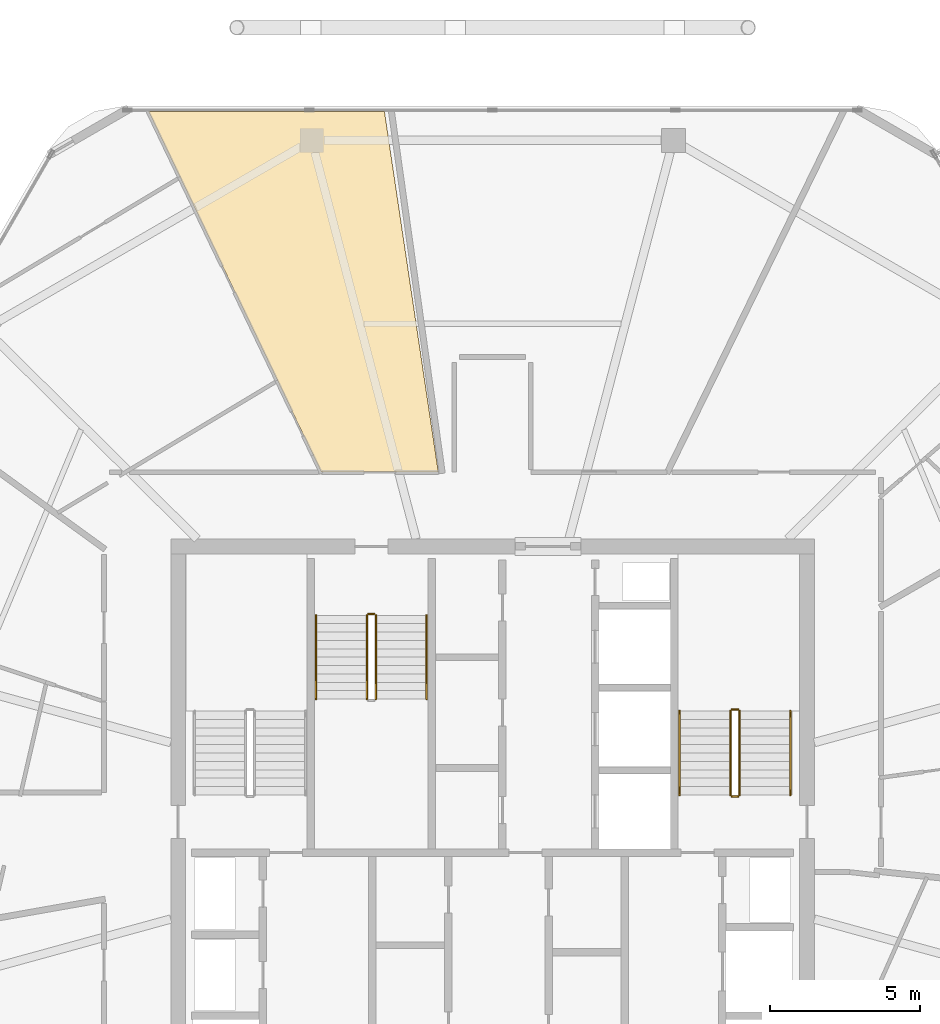
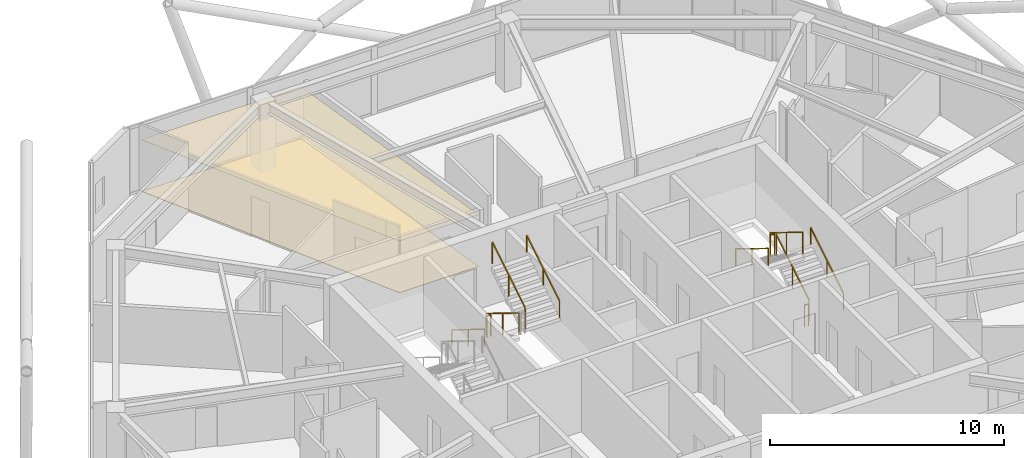
# One storey, part 23 of 24: 11 railings, 2 coverings.
"""IFC4 building model written with IfcOpenShell, lengths in metres."""

import ifcopenshell
import ifcopenshell.guid

model = None  # the IFC model being written
_history = None  # IfcOwnerHistory: only IFC2X3 demands one
_inside = {}  # id of a spatial element -> (the spatial element, [elements in it])
_under = {}  # id of a project, library or spatial element -> (it, [spatial elements below it])
_declared = {}  # id of a project -> (the project, [libraries it declares])
_typed = {}  # id of a type object -> (the type object, [elements of that type])
_made_of = {}  # id of a material, layer set ... -> (it, [elements and type objects made of it])


def new_model(schema):
    """Start an empty IFC model of exactly this schema.

    Asked for "IFC4X3", IfcOpenShell would pick the latest addendum, in which some entities
    have other attributes; the version numbers below select the first issue.
    IFC2X3 requires an IfcOwnerHistory on every rooted entity: one is made here for all.
    """
    global model, _history
    if schema == "IFC4X3":
        model = ifcopenshell.file(schema_version=(4, 3, 0, 0))
    else:
        model = ifcopenshell.file(schema=schema)
    _inside.clear()
    _under.clear()
    _declared.clear()
    _typed.clear()
    _made_of.clear()
    _history = None
    if model.schema == "IFC2X3":
        org = make("IfcOrganization", Name="unknown")
        user = make(
            "IfcPersonAndOrganization",
            ThePerson=make("IfcPerson", FamilyName="unknown"),
            TheOrganization=org,
        )
        app = make(
            "IfcApplication",
            ApplicationDeveloper=org,
            Version="unknown",
            ApplicationFullName="unknown",
            ApplicationIdentifier="unknown",
        )
        _history = make(
            "IfcOwnerHistory",
            OwningUser=user,
            OwningApplication=app,
            ChangeAction="ADDED",
            CreationDate=0,
        )
    return model


def make(cls, **values):
    """One entity of the class cls with the attributes given. An attribute that is None is left unset."""
    return model.create_entity(
        cls, **{name: value for name, value in values.items() if value is not None}
    )


def rooted(cls, **values):
    """An entity with a GlobalId (a new one), such as an element, a storey or a relation."""
    return make(cls, GlobalId=ifcopenshell.guid.new(), OwnerHistory=_history, **values)


def si_unit(unit_type, name, prefix=None):
    """IfcSIUnit, for example si_unit("LENGTHUNIT", "METRE", prefix="MILLI")."""
    return make("IfcSIUnit", UnitType=unit_type, Prefix=prefix, Name=name)


def assignment(units):
    """IfcUnitAssignment: the units of a project."""
    return None if units is None else make("IfcUnitAssignment", Units=units)


def point(xyz):
    """IfcCartesianPoint."""
    return None if xyz is None else make("IfcCartesianPoint", Coordinates=xyz)


def direction(xyz):
    """IfcDirection."""
    return None if xyz is None else make("IfcDirection", DirectionRatios=xyz)


def frame(location, z_axis=None, x_axis=None):
    """IfcAxis2Placement3D, a coordinate frame: its origin and axes. An axis left out is left unset."""
    return make(
        "IfcAxis2Placement3D",
        Location=point(location),
        Axis=direction(z_axis),
        RefDirection=direction(x_axis),
    )


def frame_2d(location, x_axis=None):
    """IfcAxis2Placement2D, a coordinate frame in the plane: its origin and x axis."""
    return make(
        "IfcAxis2Placement2D", Location=point(location), RefDirection=direction(x_axis)
    )


def origin():
    """The frame at (0, 0, 0) with its axes left unset."""
    return frame((0.0, 0.0, 0.0))


def origin_2d():
    """The frame at (0, 0) in the plane with its x axis left unset."""
    return frame_2d((0.0, 0.0))


def place(relative_to, where):
    """IfcLocalPlacement: puts the frame where relative to a parent placement (None: the world)."""
    return make(
        "IfcLocalPlacement", PlacementRelTo=relative_to, RelativePlacement=where
    )


def context(
    kind, dimensions, precision=None, world=None, true_north=None, identifier=None
):
    """IfcGeometricRepresentationContext, for example the 3D "Model" context."""
    return make(
        "IfcGeometricRepresentationContext",
        ContextIdentifier=identifier,
        ContextType=kind,
        CoordinateSpaceDimension=dimensions,
        Precision=precision,
        WorldCoordinateSystem=world,
        TrueNorth=true_north,
    )


def subcontext(parent, identifier, kind, view, scale=None):
    """IfcGeometricRepresentationSubContext, for example "Body" below "Model"."""
    return make(
        "IfcGeometricRepresentationSubContext",
        ContextIdentifier=identifier,
        ContextType=kind,
        ParentContext=parent,
        TargetScale=scale,
        TargetView=view,
    )


def project(units=None, contexts=None):
    """IfcProject with its units and contexts."""
    return rooted(
        "IfcProject",
        Name="project",
        RepresentationContexts=contexts,
        UnitsInContext=assignment(units),
    )


def spatial(cls, under=None, at=None, **own):
    """A site, building, storey or space (cls), placed at a placement, below another one or the project."""
    s = rooted(cls, ObjectPlacement=at, **own)
    if under is not None:
        _under.setdefault(under.id(), (under, []))[1].append(s)
    return s


def polyline(points):
    """IfcPolyline through the points."""
    return make("IfcPolyline", Points=[point(p) for p in points])


def profile(cls, at=None, kind="AREA", **sizes):
    """A parametric profile (cls). Its sizes go by their IFC names, for example OverallWidth=200.0."""
    return make(cls, ProfileType=kind, Position=at, **sizes)


def rectangle(**sizes):
    """IfcRectangleProfileDef."""
    return profile("IfcRectangleProfileDef", **sizes)


def outline(outer, holes=None, kind="AREA"):
    """IfcArbitraryClosedProfileDef: a profile drawn as a closed curve; with holes, ...WithVoids."""
    if holes is None:
        return make("IfcArbitraryClosedProfileDef", ProfileType=kind, OuterCurve=outer)
    return make(
        "IfcArbitraryProfileDefWithVoids",
        ProfileType=kind,
        OuterCurve=outer,
        InnerCurves=holes,
    )


def extrude(swept, where, along, depth):
    """IfcExtrudedAreaSolid: the profile swept, set in the frame where, extruded along a direction by depth."""
    return make(
        "IfcExtrudedAreaSolid",
        SweptArea=swept,
        Position=where,
        ExtrudedDirection=direction(along),
        Depth=depth,
    )


def shape(context_of_items, identifier, shape_type, items):
    """IfcShapeRepresentation: the items that make up one representation, for example the "Body"."""
    return make(
        "IfcShapeRepresentation",
        ContextOfItems=context_of_items,
        RepresentationIdentifier=identifier,
        RepresentationType=shape_type,
        Items=items,
    )


def material(Name=None, Category=None):
    """IfcMaterial."""
    return make("IfcMaterial", Name=Name, Category=Category)


def layer(
    of_material, thickness, ventilated=None, Name=None, Category=None, Priority=None
):
    """IfcMaterialLayer: one layer of a wall or slab, of a material (None: an air gap)."""
    return make(
        "IfcMaterialLayer",
        Material=of_material,
        LayerThickness=thickness,
        IsVentilated=ventilated,
        Name=Name,
        Category=Category,
        Priority=Priority,
    )


def layer_set(layers, Name=None):
    """IfcMaterialLayerSet."""
    return make("IfcMaterialLayerSet", MaterialLayers=layers, LayerSetName=Name)


def made_of(thing, what):
    """Note that an element or type object is made of a material, layer set ...; save() writes the relation."""
    if what is not None:
        _made_of.setdefault(what.id(), (what, []))[1].append(thing)
    return thing


def type_object(cls, material=None, **own):
    """A type object (cls), such as IfcWallType, which elements share."""
    return made_of(rooted(cls, **own), material)


def element(
    cls,
    number,
    at=None,
    inside=None,
    cuts=None,
    type_object=None,
    material=None,
    context=None,
    identifier="Body",
    shape_type=None,
    held_by="IfcProductDefinitionShape",
    body=None,
    shapes=None,
    **own,
):
    """One element of the class cls, such as IfcWall. Its Tag is "e" and its number.

    at: its placement. inside: the storey or other place that contains it. cuts: it is an
    opening in that element (IfcRelVoidsElement). A single representation is given by context,
    identifier, shape_type and body (its items); several are given by shapes. held_by: the class
    of the entity that holds the representations. save() writes the other relations.
    """
    e = rooted(cls, Tag="e%d" % number, ObjectPlacement=at, **own)
    if body is not None:
        shapes = [shape(context, identifier, shape_type, body)]
    if shapes is not None:
        e.Representation = make(held_by, Representations=shapes)
    if inside is not None:
        _inside.setdefault(inside.id(), (inside, []))[1].append(e)
    if cuts is not None:
        rooted(
            "IfcRelVoidsElement", RelatingBuildingElement=cuts, RelatedOpeningElement=e
        )
    if type_object is not None:
        _typed.setdefault(type_object.id(), (type_object, []))[1].append(e)
    return made_of(e, material)


def aggregate(whole, parts):
    """IfcRelAggregates: a whole, such as a stair, and the parts it consists of."""
    return rooted("IfcRelAggregates", RelatingObject=whole, RelatedObjects=parts)


def save(model, path):
    """Write the relations noted so far, then the file.

    IfcRelAggregates (storeys below a building ...), IfcRelContainedInSpatialStructure (elements
    in a storey), IfcRelDefinesByType, IfcRelAssociatesMaterial and IfcRelDeclares: one each for
    every whole, place, type object, material and project.
    """
    for whole, parts in _under.values():
        aggregate(whole, parts)
    for where, things in _inside.values():
        rooted(
            "IfcRelContainedInSpatialStructure",
            RelatedElements=things,
            RelatingStructure=where,
        )
    for kind, things in _typed.values():
        rooted("IfcRelDefinesByType", RelatedObjects=things, RelatingType=kind)
    for what, things in _made_of.values():
        rooted("IfcRelAssociatesMaterial", RelatedObjects=things, RelatingMaterial=what)
    for by, libraries in _declared.values():
        rooted("IfcRelDeclares", RelatingContext=by, RelatedDefinitions=libraries)
    model.write(path)


model = new_model("IFC4")

# Units and contexts
model_context = context("Model", 3, precision=1e-05, world=origin(), true_north=direction((0.0, 1.0)))
body_context = subcontext(model_context, "Body", "Model", "MODEL_VIEW")
ifc_project = project(units=[si_unit("LENGTHUNIT", "METRE"), si_unit("AREAUNIT", "SQUARE_METRE"), si_unit("VOLUMEUNIT", "CUBIC_METRE"), si_unit("PLANEANGLEUNIT", "RADIAN"), si_unit("MASSUNIT", "GRAM", prefix="KILO")], contexts=[model_context])

# Site, building, storey
site_placement = place(None, origin())
site = spatial("IfcSite", under=ifc_project, at=site_placement, CompositionType="ELEMENT")
building_placement = place(site_placement, origin())
building = spatial("IfcBuilding", under=site, at=building_placement, Name="Zuhravey Tower", CompositionType="ELEMENT")
storey_placement = place(building_placement, frame((0.0, 0.0, 308.199951171875)))
storey = spatial("IfcBuildingStorey", under=building, at=storey_placement, Name="L78", CompositionType="ELEMENT", Elevation=308.199951171875)

# Coverings
ifc_material_1 = material(Name="Mineral-fibre acoustic ceiling tile")
ifc_layer_1 = layer(ifc_material_1, 0.02490234375)
ifc_layer_set_1 = layer_set([ifc_layer_1], Name="Mineral-fibre acoustic ceiling tile")
covering_type_1 = type_object("IfcCoveringType", Name="Acoustic Suspended Ceiling", PredefinedType="CEILING", material=ifc_layer_set_1)
covering_1_placement = place(storey_placement, frame((0.0, 0.0, 2.68994140625)))
element("IfcCovering", 1, at=covering_1_placement, inside=storey, type_object=covering_type_1, Name="L78 Acoustic Suspended Ceiling CLG1", PredefinedType="CEILING", context=body_context, shape_type="SweptSolid", body=[
    extrude(outline(polyline([(34.189453125, 43.97998046875), (30.2822265625, 43.97998046875), (24.507080078125, 56.0341796875), (32.387939453125, 56.0341796875), (34.189453125, 43.97998046875)])), origin(), (0.0, 0.0, 1.0), 0.025146484375),
])
ifc_material_2 = material(Name="Porcelain tile finish")
ifc_layer_2 = layer(ifc_material_2, 0.02001953125)
ifc_layer_set_2 = layer_set([ifc_layer_2], Name="Porcelain tile finish")
covering_type_2 = type_object("IfcCoveringType", Name="Apartment Ondol Porcelain Flooring", PredefinedType="FLOORING", material=ifc_layer_set_2)
covering_2_placement = place(storey_placement, origin())
element("IfcCovering", 2, at=covering_2_placement, inside=storey, type_object=covering_type_2, Name="L78 Principal Room Acoustic Flooring", PredefinedType="FLOORING", context=body_context, shape_type="SweptSolid", body=[
    extrude(outline(polyline([(34.189453125, 43.97998046875), (30.2822265625, 43.97998046875), (24.507080078125, 56.0341796875), (32.387939453125, 56.0341796875), (34.189453125, 43.97998046875)])), origin(), (0.0, 0.0, 1.0), 0.02001953125),
])

# Railings
ifc_material_3 = material(Name="Brushed stainless steel", Category="steel")
railing_type_1 = type_object("IfcRailingType", Name="Stair Wall Handrail 900", PredefinedType="HANDRAIL", material=ifc_material_3)
railing_1_placement = place(storey_placement, frame((45.949951171875, 33.199951171875, 0.1728515625)))
element("IfcRailing", 3, at=railing_1_placement, inside=storey, type_object=railing_type_1, Name="L78 ST2 stair handrail 1", PredefinedType="HANDRAIL", context=body_context, shape_type="SweptSolid", body=[
    extrude(rectangle(XDim=0.048095703125, YDim=0.048095703125, at=origin_2d()), frame((0.0, 0.001708984375, 0.876953125), z_axis=(0.0, 0.851089632645, 0.525020415988), x_axis=(-1.0, 0.0, 0.0)), (0.0, 0.0, 1.0), 3.285888671875),
    extrude(rectangle(XDim=0.0419921875, YDim=0.0419921875, at=origin_2d()), origin(), (0.0, 0.0, 1.0), 0.849853515625),
    extrude(rectangle(XDim=0.0419921875, YDim=0.0419921875, at=origin_2d()), frame((0.0, 1.39990234375, 0.86376953125)), (0.0, 0.0, 1.0), 0.849853515625),
    extrude(rectangle(XDim=0.0419921875, YDim=0.0419921875, at=origin_2d()), frame((0.0, 2.800048828125, 1.727294921875)), (0.0, 0.0, 1.0), 0.849853515625),
])
for number, where, name in (
    (4, (42.25, 36.0, 2.07275390625), "L78 ST2 stair handrail 2"),
    (5, (30.10009765625, 39.199951171875, 0.1728515625), "L78 ST3 stair handrail 1"),
):
    element("IfcRailing", number, at=place(storey_placement, frame(where)), inside=storey, type_object=railing_type_1, Name=name, PredefinedType="HANDRAIL", context=body_context, shape_type="SweptSolid", body=[
        extrude(rectangle(XDim=0.048095703125, YDim=0.048095703125, at=origin_2d()), frame((0.0, -0.001708984375, 0.876953125), z_axis=(0.0, -0.851089632645, 0.525020415988), x_axis=(1.0, 0.0, 0.0)), (0.0, 0.0, 1.0), 3.285888671875),
        extrude(rectangle(XDim=0.0419921875, YDim=0.0419921875, at=origin_2d()), origin(), (0.0, 0.0, 1.0), 0.849853515625),
        extrude(rectangle(XDim=0.0419921875, YDim=0.0419921875, at=origin_2d()), frame((0.0, -1.39990234375, 0.86376953125)), (0.0, 0.0, 1.0), 0.849853515625),
        extrude(rectangle(XDim=0.0419921875, YDim=0.0419921875, at=origin_2d()), frame((0.0, -2.800048828125, 1.727294921875)), (0.0, 0.0, 1.0), 0.849853515625),
    ])
railing_2_placement = place(storey_placement, frame((33.800048828125, 36.39990234375, 2.07275390625)))
element("IfcRailing", 6, at=railing_2_placement, inside=storey, type_object=railing_type_1, Name="L78 ST3 stair handrail 2", PredefinedType="HANDRAIL", context=body_context, shape_type="SweptSolid", body=[
    extrude(rectangle(XDim=0.048095703125, YDim=0.048095703125, at=origin_2d()), frame((0.0, 0.001708984375, 0.876953125), z_axis=(0.0, 0.851089632645, 0.525020415988), x_axis=(-1.0, 0.0, 0.0)), (0.0, 0.0, 1.0), 3.285888671875),
    extrude(rectangle(XDim=0.0419921875, YDim=0.0419921875, at=origin_2d()), origin(), (0.0, 0.0, 1.0), 0.849853515625),
    extrude(rectangle(XDim=0.0419921875, YDim=0.0419921875, at=origin_2d()), frame((0.0, 1.39990234375, 0.86376953125)), (0.0, 0.0, 1.0), 0.849853515625),
    extrude(rectangle(XDim=0.0419921875, YDim=0.0419921875, at=origin_2d()), frame((0.0, 2.800048828125, 1.727294921875)), (0.0, 0.0, 1.0), 0.849853515625),
])
ifc_material_4 = material(Name="Painted tubular steel", Category="steel")
railing_type_2 = type_object("IfcRailingType", Name="Stair Well Guardrail 1150", PredefinedType="GUARDRAIL", material=ifc_material_4)
railing_3_placement = place(storey_placement, frame((44.25, 33.199951171875, 0.1728515625)))
element("IfcRailing", 7, at=railing_3_placement, inside=storey, type_object=railing_type_2, Name="L78 ST2 stair guard 1", PredefinedType="GUARDRAIL", context=body_context, shape_type="SweptSolid", body=[
    extrude(rectangle(XDim=0.048095703125, YDim=0.048095703125, at=origin_2d()), frame((0.0, 0.001708984375, 1.126953125), z_axis=(0.0, 0.851089632645, 0.525020415988), x_axis=(-1.0, 0.0, 0.0)), (0.0, 0.0, 1.0), 3.285888671875),
    extrude(rectangle(XDim=0.0419921875, YDim=0.0419921875, at=origin_2d()), origin(), (0.0, 0.0, 1.0), 1.099853515625),
    extrude(rectangle(XDim=0.0419921875, YDim=0.0419921875, at=origin_2d()), frame((0.0, 1.39990234375, 0.86376953125)), (0.0, 0.0, 1.0), 1.099853515625),
    extrude(rectangle(XDim=0.0419921875, YDim=0.0419921875, at=origin_2d()), frame((0.0, 2.800048828125, 1.727294921875)), (0.0, 0.0, 1.0), 1.099853515625),
])
railing_4_placement = place(storey_placement, frame((44.199951171875, 36.050048828125, 1.900146484375)))
element("IfcRailing", 8, at=railing_4_placement, inside=storey, type_object=railing_type_2, Name="L78 ST2 stair guard 2", PredefinedType="GUARDRAIL", context=body_context, shape_type="SweptSolid", body=[
    extrude(rectangle(XDim=0.048095703125, YDim=0.048095703125, at=origin_2d()), frame((-0.001953125, 0.0, 1.1259765625), z_axis=(-1.0, 0.0, 0.0), x_axis=(0.0, -1.0, 0.0)), (0.0, 0.0, 1.0), 0.196044921875),
    extrude(rectangle(XDim=0.0419921875, YDim=0.0419921875, at=origin_2d()), origin(), (0.0, 0.0, 1.0), 1.099853515625),
    extrude(rectangle(XDim=0.0419921875, YDim=0.0419921875, at=origin_2d()), frame((-0.199951171875, 0.0, 0.0)), (0.0, 0.0, 1.0), 1.099853515625),
])
railing_5_placement = place(storey_placement, frame((43.949951171875, 36.0, 2.07275390625)))
element("IfcRailing", 9, at=railing_5_placement, inside=storey, type_object=railing_type_2, Name="L78 ST2 stair guard 3", PredefinedType="GUARDRAIL", context=body_context, shape_type="SweptSolid", body=[
    extrude(rectangle(XDim=0.048095703125, YDim=0.048095703125, at=origin_2d()), frame((0.0, -0.001708984375, 1.126953125), z_axis=(0.0, -0.851089632645, 0.525020415988), x_axis=(1.0, 0.0, 0.0)), (0.0, 0.0, 1.0), 3.285888671875),
    extrude(rectangle(XDim=0.0419921875, YDim=0.0419921875, at=origin_2d()), origin(), (0.0, 0.0, 1.0), 1.099853515625),
    extrude(rectangle(XDim=0.0419921875, YDim=0.0419921875, at=origin_2d()), frame((0.0, -1.39990234375, 0.86376953125)), (0.0, 0.0, 1.0), 1.099853515625),
    extrude(rectangle(XDim=0.0419921875, YDim=0.0419921875, at=origin_2d()), frame((0.0, -2.800048828125, 1.727294921875)), (0.0, 0.0, 1.0), 1.099853515625),
])
railing_6_placement = place(storey_placement, frame((44.199951171875, 33.14990234375, 0.0)))
element("IfcRailing", 10, at=railing_6_placement, inside=storey, type_object=railing_type_2, Name="L78 ST2 stair guard 4", PredefinedType="GUARDRAIL", context=body_context, shape_type="SweptSolid", body=[
    extrude(rectangle(XDim=0.048095703125, YDim=0.048095703125, at=origin_2d()), frame((-0.001953125, 0.0, 1.1259765625), z_axis=(-1.0, 0.0, 0.0), x_axis=(0.0, -1.0, 0.0)), (0.0, 0.0, 1.0), 0.196044921875),
    extrude(rectangle(XDim=0.0419921875, YDim=0.0419921875, at=origin_2d()), origin(), (0.0, 0.0, 1.0), 1.099853515625),
    extrude(rectangle(XDim=0.0419921875, YDim=0.0419921875, at=origin_2d()), frame((-0.199951171875, 0.0, 0.0)), (0.0, 0.0, 1.0), 1.099853515625),
])
railing_7_placement = place(storey_placement, frame((31.800048828125, 39.199951171875, 0.1728515625)))
element("IfcRailing", 11, at=railing_7_placement, inside=storey, type_object=railing_type_2, Name="L78 ST3 stair guard 1", PredefinedType="GUARDRAIL", context=body_context, shape_type="SweptSolid", body=[
    extrude(rectangle(XDim=0.048095703125, YDim=0.048095703125, at=origin_2d()), frame((0.0, -0.001708984375, 1.126953125), z_axis=(0.0, -0.851089632645, 0.525020415988), x_axis=(1.0, 0.0, 0.0)), (0.0, 0.0, 1.0), 3.285888671875),
    extrude(rectangle(XDim=0.0419921875, YDim=0.0419921875, at=origin_2d()), origin(), (0.0, 0.0, 1.0), 1.099853515625),
    extrude(rectangle(XDim=0.0419921875, YDim=0.0419921875, at=origin_2d()), frame((0.0, -1.39990234375, 0.86376953125)), (0.0, 0.0, 1.0), 1.099853515625),
    extrude(rectangle(XDim=0.0419921875, YDim=0.0419921875, at=origin_2d()), frame((0.0, -2.800048828125, 1.727294921875)), (0.0, 0.0, 1.0), 1.099853515625),
])
railing_8_placement = place(storey_placement, frame((32.10009765625, 36.39990234375, 2.07275390625)))
element("IfcRailing", 12, at=railing_8_placement, inside=storey, type_object=railing_type_2, Name="L78 ST3 stair guard 3", PredefinedType="GUARDRAIL", context=body_context, shape_type="SweptSolid", body=[
    extrude(rectangle(XDim=0.048095703125, YDim=0.048095703125, at=origin_2d()), frame((0.0, 0.001708984375, 1.126953125), z_axis=(0.0, 0.851089632645, 0.525020415988), x_axis=(-1.0, 0.0, 0.0)), (0.0, 0.0, 1.0), 3.285888671875),
    extrude(rectangle(XDim=0.0419921875, YDim=0.0419921875, at=origin_2d()), origin(), (0.0, 0.0, 1.0), 1.099853515625),
    extrude(rectangle(XDim=0.0419921875, YDim=0.0419921875, at=origin_2d()), frame((0.0, 1.39990234375, 0.86376953125)), (0.0, 0.0, 1.0), 1.099853515625),
    extrude(rectangle(XDim=0.0419921875, YDim=0.0419921875, at=origin_2d()), frame((0.0, 2.800048828125, 1.727294921875)), (0.0, 0.0, 1.0), 1.099853515625),
])
railing_9_placement = place(storey_placement, frame((31.85009765625, 39.25, 0.0)))
element("IfcRailing", 13, at=railing_9_placement, inside=storey, type_object=railing_type_2, Name="L78 ST3 stair guard 4", PredefinedType="GUARDRAIL", context=body_context, shape_type="SweptSolid", body=[
    extrude(rectangle(XDim=0.048095703125, YDim=0.048095703125, at=origin_2d()), frame((0.001953125, 0.0, 1.1259765625), z_axis=(1.0, 0.0, 0.0), x_axis=(0.0, 1.0, 0.0)), (0.0, 0.0, 1.0), 0.196044921875),
    extrude(rectangle(XDim=0.0419921875, YDim=0.0419921875, at=origin_2d()), origin(), (0.0, 0.0, 1.0), 1.099853515625),
    extrude(rectangle(XDim=0.0419921875, YDim=0.0419921875, at=origin_2d()), frame((0.199951171875, 0.0, 0.0)), (0.0, 0.0, 1.0), 1.099853515625),
])

save(model, "model.ifc")
